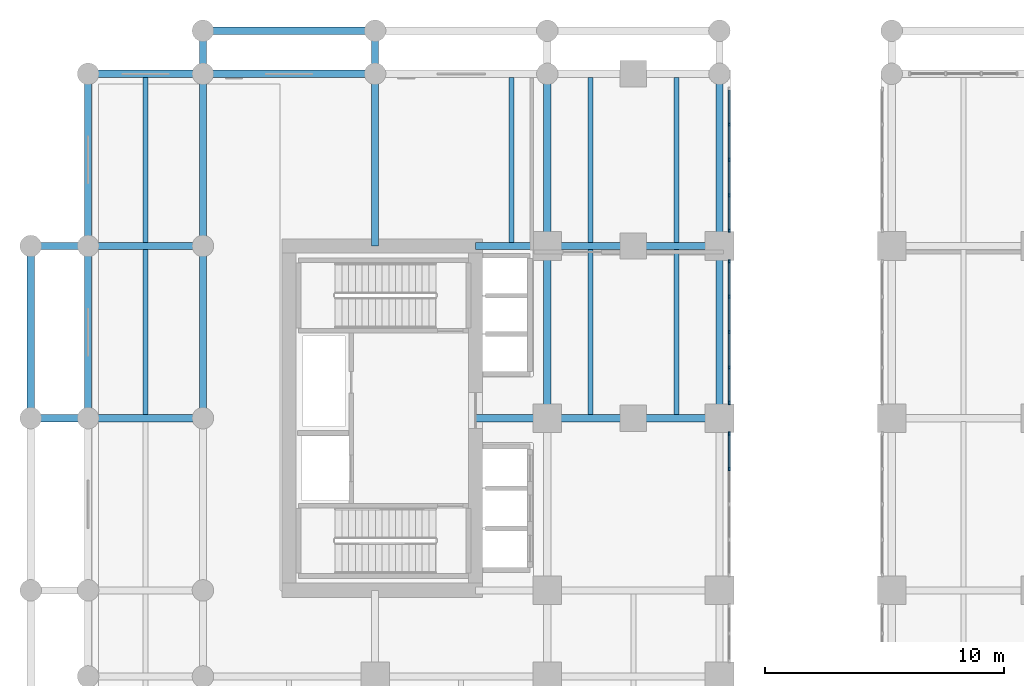
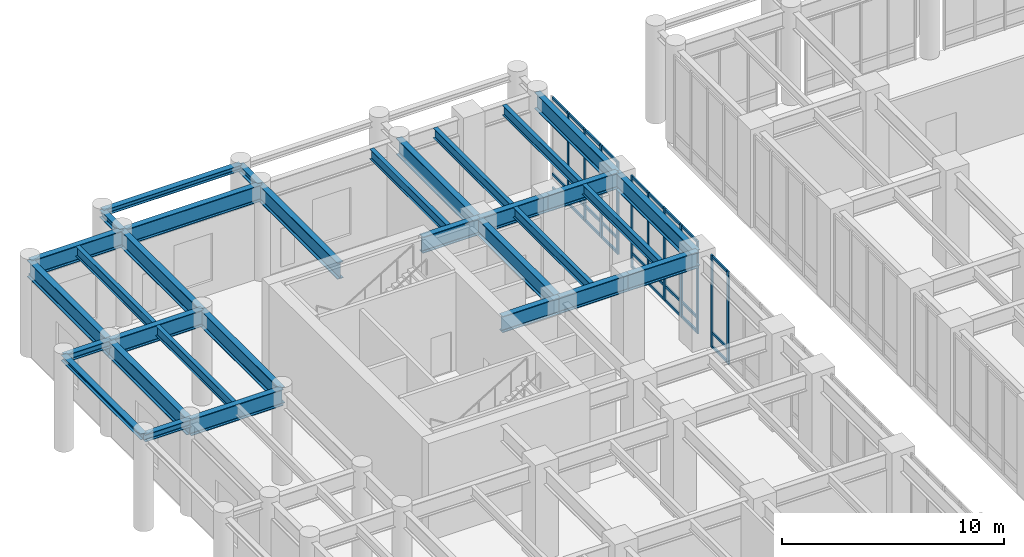
# One storey, part 6 of 23: 38 members, 32 beams, 3 elements without a shape of their own.
"""IFC4 building model written with IfcOpenShell, lengths in metres."""

from ifc_helpers import new_model, si_unit, derived_unit, direction, frame, origin, origin_2d, place, context, subcontext, project, spatial, rectangle, i_section, extrude, source, transform, mapped, material, layer, layer_set, material_profile, profile_set, type_object, type_shapes, element, aggregate, save


model = new_model("IFC4")

# Units and contexts
model_context = context("Model", 3, precision=1e-05, world=origin(), true_north=direction((0.0, 1.0)))
body_context = subcontext(model_context, "Body", "Model", "MODEL_VIEW")
ifc_project = project(units=[si_unit("LENGTHUNIT", "METRE"), si_unit("AREAUNIT", "SQUARE_METRE"), si_unit("VOLUMEUNIT", "CUBIC_METRE"), si_unit("PLANEANGLEUNIT", "RADIAN"), si_unit("MASSUNIT", "GRAM", prefix="KILO"), si_unit("THERMODYNAMICTEMPERATUREUNIT", "KELVIN"), si_unit("POWERUNIT", "WATT"), derived_unit("THERMALTRANSMITTANCEUNIT", [(si_unit("POWERUNIT", "WATT"), 1), (si_unit("AREAUNIT", "SQUARE_METRE"), -1), (si_unit("THERMODYNAMICTEMPERATUREUNIT", "KELVIN"), -1)])], contexts=[model_context])

# Site, building, storey
site_placement = place(None, origin())
site = spatial("IfcSite", under=ifc_project, at=site_placement, CompositionType="ELEMENT")
building_placement = place(site_placement, origin())
building = spatial("IfcBuilding", under=site, at=building_placement, Name="Zahravan Archway Hotel and Residences", CompositionType="ELEMENT")
storey_placement = place(building_placement, frame((0.0, 0.0, 5.39990234375)))
storey = spatial("IfcBuildingStorey", under=building, at=storey_placement, Name="L01", CompositionType="ELEMENT", Elevation=5.39990234375)

# Beams
ifc_material_1 = material(Name="Structural Steel S355J2", Category="steel")
ifc_material_profile_1 = material_profile(ifc_material_1, i_section(OverallWidth=0.300048828125, OverallDepth=0.89990234375, WebThickness=0.0185546875, FlangeThickness=0.034912109375, FilletRadius=0.030029296875, at=origin_2d()), Name="HEB 900", Category="steel")
ifc_profile_set_1 = profile_set([ifc_material_profile_1], Name="Structural Steel S355J2")
beam_type_1 = type_object("IfcBeamType", Name="BM-PRI-HEB900", PredefinedType="BEAM", material=ifc_profile_set_1)
shared_shape_1 = source(origin(), body_context, "Body", "SweptSolid", [
    extrude(i_section(OverallWidth=0.300048828125, OverallDepth=0.89990234375, WebThickness=0.0185546875, FlangeThickness=0.034912109375, FilletRadius=0.030029296875, at=origin_2d()), origin(), (0.0, 0.0, 1.0), 4.800048828125),
])
type_shapes(beam_type_1, [shared_shape_1])
for number, where, z_axis, x_axis, name in (
    (1, (-4.800048828125, 32.39990234375, 4.650146484375), (1.0, 0.0, 0.0), (0.0, 1.0, 0.0), "L01 Primary Girder EW-41"),
    (2, (-4.800048828125, 39.60009765625, 4.650146484375), (1.0, 0.0, 0.0), (0.0, 1.0, 0.0), "L01 Primary Girder EW-46"),
    (3, (-4.800048828125, 46.800048828125, 4.650146484375), (1.0, 0.0, 0.0), (0.0, 1.0, 0.0), "L01 Primary Girder EW-51"),
):
    element("IfcBeam", number, at=place(storey_placement, frame(where, z_axis=z_axis, x_axis=x_axis)), inside=storey, type_object=beam_type_1, Name=name, PredefinedType="BEAM", context=body_context, shape_type="MappedRepresentation", body=[
        mapped(shared_shape_1, transform((0.0, 0.0, 0.0), scale=1.0)),
    ])
shared_shape_2 = source(origin(), body_context, "Body", "SweptSolid", [
    extrude(i_section(OverallWidth=0.300048828125, OverallDepth=0.89990234375, WebThickness=0.0185546875, FlangeThickness=0.034912109375, FilletRadius=0.030029296875, at=origin_2d()), origin(), (0.0, 0.0, 1.0), 7.199951171875),
])
for number, where, z_axis, x_axis, name in (
    (4, (0.0, 46.800048828125, 4.650146484375), (1.0, 0.0, 0.0), (0.0, 1.0, 0.0), "L01 Primary Girder EW-52"),
    (5, (-4.800048828125, 39.60009765625, 4.650146484375), (0.0, 1.0, 0.0), (-1.0, 0.0, 0.0), "L01 Primary Girder NS-68"),
    (6, (0.0, 39.60009765625, 4.650146484375), (0.0, 1.0, 0.0), (-1.0, 0.0, 0.0), "L01 Primary Girder NS-75"),
    (7, (7.199951171875, 39.60009765625, 4.650146484375), (0.0, 1.0, 0.0), (-1.0, 0.0, 0.0), "L01 Primary Girder NS-80"),
    (8, (14.39990234375, 39.60009765625, 4.650146484375), (0.0, 1.0, 0.0), (-1.0, 0.0, 0.0), "L01 Primary Girder NS-87"),
    (9, (21.60009765625, 39.60009765625, 4.650146484375), (0.0, 1.0, 0.0), (-1.0, 0.0, 0.0), "L01 Primary Girder NS-94"),
):
    element("IfcBeam", number, at=place(storey_placement, frame(where, z_axis=z_axis, x_axis=x_axis)), inside=storey, type_object=beam_type_1, Name=name, PredefinedType="BEAM", context=body_context, shape_type="MappedRepresentation", body=[
        mapped(shared_shape_2, transform((0.0, 0.0, 0.0), scale=1.0)),
    ])
shared_shape_3 = source(origin(), body_context, "Body", "SweptSolid", [
    extrude(i_section(OverallWidth=0.300048828125, OverallDepth=0.89990234375, WebThickness=0.0185546875, FlangeThickness=0.034912109375, FilletRadius=0.030029296875, at=origin_2d()), origin(), (0.0, 0.0, 1.0), 7.2001953125),
])
for number, where, z_axis, x_axis, name in (
    (10, (-4.800048828125, 32.39990234375, 4.650146484375), (0.0, 1.0, 0.0), (-1.0, 0.0, 0.0), "L01 Primary Girder NS-67"),
    (11, (0.0, 32.39990234375, 4.650146484375), (0.0, 1.0, 0.0), (-1.0, 0.0, 0.0), "L01 Primary Girder NS-74"),
    (12, (14.39990234375, 32.39990234375, 4.650146484375), (0.0, 1.0, 0.0), (-1.0, 0.0, 0.0), "L01 Primary Girder NS-86"),
    (13, (21.60009765625, 32.39990234375, 4.650146484375), (0.0, 1.0, 0.0), (-1.0, 0.0, 0.0), "L01 Primary Girder NS-93"),
):
    element("IfcBeam", number, at=place(storey_placement, frame(where, z_axis=z_axis, x_axis=x_axis)), inside=storey, type_object=beam_type_1, Name=name, PredefinedType="BEAM", context=body_context, shape_type="MappedRepresentation", body=[
        mapped(shared_shape_3, transform((0.0, 0.0, 0.0), scale=1.0)),
    ])
shared_shape_4 = source(origin(), body_context, "Body", "SweptSolid", [
    extrude(i_section(OverallWidth=0.300048828125, OverallDepth=0.89990234375, WebThickness=0.0185546875, FlangeThickness=0.034912109375, FilletRadius=0.030029296875, at=origin_2d()), origin(), (0.0, 0.0, 1.0), 3.0),
])
for number, where, z_axis, x_axis, name in (
    (14, (11.39990234375, 32.39990234375, 4.650146484375), (1.0, 0.0, 0.0), (0.0, 1.0, 0.0), "L01 Primary Girder EW-42"),
    (15, (11.39990234375, 39.60009765625, 4.650146484375), (1.0, 0.0, 0.0), (0.0, 1.0, 0.0), "L01 Primary Girder EW-47"),
):
    element("IfcBeam", number, at=place(storey_placement, frame(where, z_axis=z_axis, x_axis=x_axis)), inside=storey, type_object=beam_type_1, Name=name, PredefinedType="BEAM", context=body_context, shape_type="MappedRepresentation", body=[
        mapped(shared_shape_4, transform((0.0, 0.0, 0.0), scale=1.0)),
    ])
shared_shape_5 = source(origin(), body_context, "Body", "SweptSolid", [
    extrude(i_section(OverallWidth=0.300048828125, OverallDepth=0.89990234375, WebThickness=0.0185546875, FlangeThickness=0.034912109375, FilletRadius=0.030029296875, at=origin_2d()), origin(), (0.0, 0.0, 1.0), 3.60009765625),
])
for number, where, z_axis, x_axis, name in (
    (16, (14.39990234375, 32.39990234375, 4.650146484375), (1.0, 0.0, 0.0), (0.0, 1.0, 0.0), "L01 Primary Girder EW-43"),
    (17, (18.0, 32.39990234375, 4.650146484375), (1.0, 0.0, 0.0), (0.0, 1.0, 0.0), "L01 Primary Girder EW-44"),
    (18, (14.39990234375, 39.60009765625, 4.650146484375), (1.0, 0.0, 0.0), (0.0, 1.0, 0.0), "L01 Primary Girder EW-48"),
    (19, (18.0, 39.60009765625, 4.650146484375), (1.0, 0.0, 0.0), (0.0, 1.0, 0.0), "L01 Primary Girder EW-49"),
):
    element("IfcBeam", number, at=place(storey_placement, frame(where, z_axis=z_axis, x_axis=x_axis)), inside=storey, type_object=beam_type_1, Name=name, PredefinedType="BEAM", context=body_context, shape_type="MappedRepresentation", body=[
        mapped(shared_shape_5, transform((0.0, 0.0, 0.0), scale=1.0)),
    ])
ifc_material_2 = material(Name="Structural Steel S355JR", Category="steel")
ifc_material_profile_2 = material_profile(ifc_material_2, i_section(OverallWidth=0.2099609375, OverallDepth=0.550048828125, WebThickness=0.010986328125, FlangeThickness=0.01708984375, FilletRadius=0.02392578125, at=origin_2d()), Name="IPE 550", Category="steel")
ifc_profile_set_2 = profile_set([ifc_material_profile_2], Name="Structural Steel S355JR")
beam_type_2 = type_object("IfcBeamType", Name="BM-JST-IPE550", PredefinedType="JOIST", material=ifc_profile_set_2)
shared_shape_6 = source(origin(), body_context, "Body", "SweptSolid", [
    extrude(i_section(OverallWidth=0.2099609375, OverallDepth=0.550048828125, WebThickness=0.010986328125, FlangeThickness=0.01708984375, FilletRadius=0.02392578125, at=origin_2d()), origin(), (0.0, 0.0, 1.0), 6.904052734375),
])
type_shapes(beam_type_2, [shared_shape_6])
for number, where, z_axis, x_axis, name in (
    (20, (-2.39990234375, 39.748046875, 4.8251953125), (0.0, 1.0, 0.0), (-1.0, 0.0, 0.0), "L01 Composite Floor Joist 34"),
    (21, (12.89990234375, 39.748046875, 4.8251953125), (0.0, 1.0, 0.0), (-1.0, 0.0, 0.0), "L01 Composite Floor Joist 35"),
    (22, (16.199951171875, 39.748046875, 4.8251953125), (0.0, 1.0, 0.0), (-1.0, 0.0, 0.0), "L01 Composite Floor Joist 36"),
    (23, (19.800048828125, 39.748046875, 4.8251953125), (0.0, 1.0, 0.0), (-1.0, 0.0, 0.0), "L01 Composite Floor Joist 37"),
):
    element("IfcBeam", number, at=place(storey_placement, frame(where, z_axis=z_axis, x_axis=x_axis)), inside=storey, type_object=beam_type_2, Name=name, PredefinedType="JOIST", context=body_context, shape_type="MappedRepresentation", body=[
        mapped(shared_shape_6, transform((0.0, 0.0, 0.0), scale=1.0)),
    ])
shared_shape_7 = source(origin(), body_context, "Body", "SweptSolid", [
    extrude(i_section(OverallWidth=0.2099609375, OverallDepth=0.550048828125, WebThickness=0.010986328125, FlangeThickness=0.01708984375, FilletRadius=0.02392578125, at=origin_2d()), origin(), (0.0, 0.0, 1.0), 6.90380859375),
])
for number, where, z_axis, x_axis, name in (
    (24, (-2.39990234375, 32.548095703125, 4.8251953125), (0.0, 1.0, 0.0), (-1.0, 0.0, 0.0), "L01 Composite Floor Joist 30"),
    (25, (16.199951171875, 32.548095703125, 4.8251953125), (0.0, 1.0, 0.0), (-1.0, 0.0, 0.0), "L01 Composite Floor Joist 31"),
    (26, (19.800048828125, 32.548095703125, 4.8251953125), (0.0, 1.0, 0.0), (-1.0, 0.0, 0.0), "L01 Composite Floor Joist 32"),
):
    element("IfcBeam", number, at=place(storey_placement, frame(where, z_axis=z_axis, x_axis=x_axis)), inside=storey, type_object=beam_type_2, Name=name, PredefinedType="JOIST", context=body_context, shape_type="MappedRepresentation", body=[
        mapped(shared_shape_7, transform((0.0, 0.0, 0.0), scale=1.0)),
    ])
ifc_material_profile_3 = material_profile(ifc_material_2, i_section(OverallWidth=0.300048828125, OverallDepth=0.39990234375, WebThickness=0.013427734375, FlangeThickness=0.02392578125, FilletRadius=0.027099609375, at=origin_2d()), Name="HEB 400", Category="steel")
ifc_profile_set_3 = profile_set([ifc_material_profile_3], Name="Structural Steel S355JR")
beam_type_3 = type_object("IfcBeamType", Name="BM-PRI-HEB400", PredefinedType="BEAM", material=ifc_profile_set_3)
shared_shape_8 = source(origin(), body_context, "Body", "SweptSolid", [
    extrude(i_section(OverallWidth=0.300048828125, OverallDepth=0.39990234375, WebThickness=0.013427734375, FlangeThickness=0.02392578125, FilletRadius=0.027099609375, at=origin_2d()), origin(), (0.0, 0.0, 1.0), 2.39990234375),
])
for number, where, z_axis, x_axis, name in (
    (27, (-7.199951171875, 32.39990234375, 4.900146484375), (1.0, 0.0, 0.0), (0.0, 1.0, 0.0), "L01 West Colonnade Tie Girder 5"),
    (28, (-7.199951171875, 39.60009765625, 4.900146484375), (1.0, 0.0, 0.0), (0.0, 1.0, 0.0), "L01 West Colonnade Tie Girder 6"),
):
    element("IfcBeam", number, at=place(storey_placement, frame(where, z_axis=z_axis, x_axis=x_axis)), inside=storey, type_object=beam_type_3, Name=name, PredefinedType="BEAM", context=body_context, shape_type="MappedRepresentation", body=[
        mapped(shared_shape_8, transform((0.0, 0.0, 0.0), scale=1.0)),
    ])
ifc_material_profile_4 = material_profile(ifc_material_2, i_section(OverallWidth=0.300048828125, OverallDepth=0.320068359375, WebThickness=0.011474609375, FlangeThickness=0.0205078125, FilletRadius=0.027099609375, at=origin_2d()), Name="HEB 320", Category="steel")
ifc_profile_set_4 = profile_set([ifc_material_profile_4], Name="Structural Steel S355JR")
beam_type_4 = type_object("IfcBeamType", Name="BM-SPN-HEB320", PredefinedType="SPANDREL", material=ifc_profile_set_4)
shared_shape_9 = source(origin(), body_context, "Body", "SweptSolid", [
    extrude(i_section(OverallWidth=0.300048828125, OverallDepth=0.320068359375, WebThickness=0.011474609375, FlangeThickness=0.0205078125, FilletRadius=0.027099609375, at=origin_2d()), origin(), (0.0, 0.0, 1.0), 7.199951171875),
])
type_shapes(beam_type_4, [shared_shape_9])
beam_1_placement = place(storey_placement, frame((0.0, 48.60009765625, 4.940185546875), z_axis=(1.0, 0.0, 0.0), x_axis=(0.0, 1.0, 0.0)))
element("IfcBeam", 29, at=beam_1_placement, inside=storey, type_object=beam_type_4, Name="L01 North Colonnade Spandrel 1", PredefinedType="SPANDREL", context=body_context, shape_type="MappedRepresentation", body=[
    mapped(shared_shape_9, transform((0.0, 0.0, 0.0), scale=1.0)),
])
shared_shape_10 = source(origin(), body_context, "Body", "SweptSolid", [
    extrude(i_section(OverallWidth=0.300048828125, OverallDepth=0.320068359375, WebThickness=0.011474609375, FlangeThickness=0.0205078125, FilletRadius=0.027099609375, at=origin_2d()), origin(), (0.0, 0.0, 1.0), 7.2001953125),
])
beam_2_placement = place(storey_placement, frame((-7.199951171875, 32.39990234375, 4.940185546875), z_axis=(0.0, 1.0, 0.0), x_axis=(-1.0, 0.0, 0.0)))
element("IfcBeam", 30, at=beam_2_placement, inside=storey, type_object=beam_type_4, Name="L01 West Colonnade Spandrel 5", PredefinedType="SPANDREL", context=body_context, shape_type="MappedRepresentation", body=[
    mapped(shared_shape_10, transform((0.0, 0.0, 0.0), scale=1.0)),
])
shared_shape_11 = source(origin(), body_context, "Body", "SweptSolid", [
    extrude(i_section(OverallWidth=0.300048828125, OverallDepth=0.39990234375, WebThickness=0.013427734375, FlangeThickness=0.02392578125, FilletRadius=0.027099609375, at=origin_2d()), origin(), (0.0, 0.0, 1.0), 1.800048828125),
])
for number, where, z_axis, x_axis, name in (
    (31, (0.0, 46.800048828125, 4.900146484375), (0.0, 1.0, 0.0), (-1.0, 0.0, 0.0), "L01 North Colonnade Tie Girder 1"),
    (32, (7.199951171875, 46.800048828125, 4.900146484375), (0.0, 1.0, 0.0), (-1.0, 0.0, 0.0), "L01 North Colonnade Tie Girder 2"),
):
    element("IfcBeam", number, at=place(storey_placement, frame(where, z_axis=z_axis, x_axis=x_axis)), inside=storey, type_object=beam_type_3, Name=name, PredefinedType="BEAM", context=body_context, shape_type="MappedRepresentation", body=[
        mapped(shared_shape_11, transform((0.0, 0.0, 0.0), scale=1.0)),
    ])

# Curtain wall, members
ifc_material_3 = material(Name="Bronze-Anodized Unitised Aluminium & Low-E Glass", Category="aluminium")
ifc_layer = layer(ifc_material_3, 0.179931640625, Name="Bronze-Anodized Unitised Aluminium & Low-E Glass", Category="aluminium")
ifc_layer_set = layer_set([ifc_layer], Name="Bronze-Anodized Unitised Aluminium & Low-E Glass")
curtain_wall_type = type_object("IfcCurtainWallType", Name="CW-POD-ARCH", PredefinedType="NOTDEFINED", material=ifc_layer_set)
curtain_wall_1_placement = place(storey_placement, origin())
curtain_wall_1 = element("IfcCurtainWall", 33, at=curtain_wall_1_placement, inside=storey, type_object=curtain_wall_type, Name="L01 Curtain Wall CW-PORTW-L01-5", PredefinedType="NOTDEFINED")
ifc_material_4 = material(Name="Bronze-Anodized Extruded Aluminium", Category="aluminium")
ifc_material_profile_5 = material_profile(ifc_material_4, rectangle(XDim=0.080078125, YDim=0.159912109375, at=origin_2d()), Name="MUL 80x160", Category="aluminium")
ifc_profile_set_5 = profile_set([ifc_material_profile_5], Name="Bronze-Anodized Extruded Aluminium")
member_type_1 = type_object("IfcMemberType", Name="CWM-MUL-160", PredefinedType="MULLION", material=ifc_profile_set_5)
shared_shape_12 = source(origin(), body_context, "Body", "SweptSolid", [
    extrude(rectangle(XDim=0.080078125, YDim=0.159912109375, at=origin_2d()), origin(), (0.0, 0.0, 1.0), 5.10009765625),
])
member_1_placement = place(storey_placement, frame((22.0, 30.27734375, 0.0), z_axis=(0.0, 0.0, 1.0), x_axis=(1.0, 0.0, 0.0)))
member_1 = element("IfcMember", 34, at=member_1_placement, type_object=member_type_1, Name="CW-PORTW-L01-5 Mullion 3", PredefinedType="MULLION", context=body_context, shape_type="MappedRepresentation", body=[
    mapped(shared_shape_12, transform((0.0, 0.0, 0.0), scale=1.0)),
])
member_2_placement = place(storey_placement, frame((22.0, 31.7548828125, 0.0), z_axis=(0.0, 0.0, 1.0), x_axis=(1.0, 0.0, 0.0)))
member_2 = element("IfcMember", 35, at=member_2_placement, type_object=member_type_1, Name="CW-PORTW-L01-5 Mullion 4", PredefinedType="MULLION", context=body_context, shape_type="MappedRepresentation", body=[
    mapped(shared_shape_12, transform((0.0, 0.0, 0.0), scale=1.0)),
])

curtain_wall_2_placement = place(storey_placement, origin())
curtain_wall_2 = element("IfcCurtainWall", 36, at=curtain_wall_2_placement, inside=storey, type_object=curtain_wall_type, Name="L01 Curtain Wall CW-PORTW-L01-6", PredefinedType="NOTDEFINED")
member_3_placement = place(storey_placement, frame((22.0, 33.045166015625, 0.0), z_axis=(0.0, 0.0, 1.0), x_axis=(1.0, 0.0, 0.0)))
member_3 = element("IfcMember", 37, at=member_3_placement, type_object=member_type_1, Name="CW-PORTW-L01-6 Mullion 0", PredefinedType="MULLION", context=body_context, shape_type="MappedRepresentation", body=[
    mapped(shared_shape_12, transform((0.0, 0.0, 0.0), scale=1.0)),
])
member_4_placement = place(storey_placement, frame((22.0, 34.522705078125, 0.0), z_axis=(0.0, 0.0, 1.0), x_axis=(1.0, 0.0, 0.0)))
member_4 = element("IfcMember", 38, at=member_4_placement, type_object=member_type_1, Name="CW-PORTW-L01-6 Mullion 1", PredefinedType="MULLION", context=body_context, shape_type="MappedRepresentation", body=[
    mapped(shared_shape_12, transform((0.0, 0.0, 0.0), scale=1.0)),
])
member_5_placement = place(storey_placement, frame((22.0, 36.0, 0.0), z_axis=(0.0, 0.0, 1.0), x_axis=(1.0, 0.0, 0.0)))
member_5 = element("IfcMember", 39, at=member_5_placement, type_object=member_type_1, Name="CW-PORTW-L01-6 Mullion 2", PredefinedType="MULLION", context=body_context, shape_type="MappedRepresentation", body=[
    mapped(shared_shape_12, transform((0.0, 0.0, 0.0), scale=1.0)),
])
member_6_placement = place(storey_placement, frame((22.0, 37.477294921875, 0.0), z_axis=(0.0, 0.0, 1.0), x_axis=(1.0, 0.0, 0.0)))
member_6 = element("IfcMember", 40, at=member_6_placement, type_object=member_type_1, Name="CW-PORTW-L01-6 Mullion 3", PredefinedType="MULLION", context=body_context, shape_type="MappedRepresentation", body=[
    mapped(shared_shape_12, transform((0.0, 0.0, 0.0), scale=1.0)),
])
member_7_placement = place(storey_placement, frame((22.0, 38.954833984375, 0.0), z_axis=(0.0, 0.0, 1.0), x_axis=(1.0, 0.0, 0.0)))
member_7 = element("IfcMember", 41, at=member_7_placement, type_object=member_type_1, Name="CW-PORTW-L01-6 Mullion 4", PredefinedType="MULLION", context=body_context, shape_type="MappedRepresentation", body=[
    mapped(shared_shape_12, transform((0.0, 0.0, 0.0), scale=1.0)),
])

curtain_wall_3_placement = place(storey_placement, origin())
curtain_wall_3 = element("IfcCurtainWall", 42, at=curtain_wall_3_placement, inside=storey, type_object=curtain_wall_type, Name="L01 Curtain Wall CW-PORTW-L01-7", PredefinedType="NOTDEFINED")
member_8_placement = place(storey_placement, frame((22.0, 40.2451171875, 0.0), z_axis=(0.0, 0.0, 1.0), x_axis=(1.0, 0.0, 0.0)))
member_8 = element("IfcMember", 43, at=member_8_placement, type_object=member_type_1, Name="CW-PORTW-L01-7 Mullion 0", PredefinedType="MULLION", context=body_context, shape_type="MappedRepresentation", body=[
    mapped(shared_shape_12, transform((0.0, 0.0, 0.0), scale=1.0)),
])
member_9_placement = place(storey_placement, frame((22.0, 41.72265625, 0.0), z_axis=(0.0, 0.0, 1.0), x_axis=(1.0, 0.0, 0.0)))
member_9 = element("IfcMember", 44, at=member_9_placement, type_object=member_type_1, Name="CW-PORTW-L01-7 Mullion 1", PredefinedType="MULLION", context=body_context, shape_type="MappedRepresentation", body=[
    mapped(shared_shape_12, transform((0.0, 0.0, 0.0), scale=1.0)),
])
member_10_placement = place(storey_placement, frame((22.0, 43.199951171875, 0.0), z_axis=(0.0, 0.0, 1.0), x_axis=(1.0, 0.0, 0.0)))
member_10 = element("IfcMember", 45, at=member_10_placement, type_object=member_type_1, Name="CW-PORTW-L01-7 Mullion 2", PredefinedType="MULLION", context=body_context, shape_type="MappedRepresentation", body=[
    mapped(shared_shape_12, transform((0.0, 0.0, 0.0), scale=1.0)),
])
member_11_placement = place(storey_placement, frame((22.0, 44.677490234375, 0.0), z_axis=(0.0, 0.0, 1.0), x_axis=(1.0, 0.0, 0.0)))
member_11 = element("IfcMember", 46, at=member_11_placement, type_object=member_type_1, Name="CW-PORTW-L01-7 Mullion 3", PredefinedType="MULLION", context=body_context, shape_type="MappedRepresentation", body=[
    mapped(shared_shape_12, transform((0.0, 0.0, 0.0), scale=1.0)),
])
ifc_material_profile_6 = material_profile(ifc_material_4, rectangle(XDim=0.080078125, YDim=0.139892578125, at=origin_2d()), Name="TRN 80x140", Category="aluminium")
ifc_profile_set_6 = profile_set([ifc_material_profile_6], Name="Bronze-Anodized Extruded Aluminium")
member_type_2 = type_object("IfcMemberType", Name="CWM-TRN-140", PredefinedType="USERDEFINED", material=ifc_profile_set_6)
shared_shape_13 = source(origin(), body_context, "Body", "SweptSolid", [
    extrude(rectangle(XDim=0.080078125, YDim=0.139892578125, at=origin_2d()), origin(), (0.0, 0.0, 1.0), 1.397216796875),
])
member_12_placement = place(storey_placement, frame((22.0, 41.7626953125, 0.070068359375), z_axis=(0.0, 1.0, 0.0), x_axis=(-1.0, 0.0, 0.0)))
member_12 = element("IfcMember", 47, at=member_12_placement, type_object=member_type_2, Name="CW-PORTW-L01-7 Transom 1-1", ObjectType="TRANSOM", PredefinedType="USERDEFINED", context=body_context, shape_type="MappedRepresentation", body=[
    mapped(shared_shape_13, transform((0.0, 0.0, 0.0), scale=1.0)),
])
member_13_placement = place(storey_placement, frame((22.0, 41.7626953125, 0.85009765625), z_axis=(0.0, 1.0, 0.0), x_axis=(-1.0, 0.0, 0.0)))
member_13 = element("IfcMember", 48, at=member_13_placement, type_object=member_type_2, Name="CW-PORTW-L01-7 Transom 1-2", ObjectType="TRANSOM", PredefinedType="USERDEFINED", context=body_context, shape_type="MappedRepresentation", body=[
    mapped(shared_shape_13, transform((0.0, 0.0, 0.0), scale=1.0)),
])
member_14_placement = place(storey_placement, frame((22.0, 41.7626953125, 5.030029296875), z_axis=(0.0, 1.0, 0.0), x_axis=(-1.0, 0.0, 0.0)))
member_14 = element("IfcMember", 49, at=member_14_placement, type_object=member_type_2, Name="CW-PORTW-L01-7 Transom 1-3", ObjectType="TRANSOM", PredefinedType="USERDEFINED", context=body_context, shape_type="MappedRepresentation", body=[
    mapped(shared_shape_13, transform((0.0, 0.0, 0.0), scale=1.0)),
])

# Member
shared_shape_14 = source(origin(), body_context, "Body", "SweptSolid", [
    extrude(rectangle(XDim=0.080078125, YDim=0.139892578125, at=origin_2d()), origin(), (0.0, 0.0, 1.0), 1.3974609375),
])
member_15_placement = place(storey_placement, frame((22.0, 30.3173828125, 0.070068359375), z_axis=(0.0, 1.0, 0.0), x_axis=(-1.0, 0.0, 0.0)))
member_15 = element("IfcMember", 50, at=member_15_placement, type_object=member_type_2, Name="CW-PORTW-L01-5 Transom 3-1", ObjectType="TRANSOM", PredefinedType="USERDEFINED", context=body_context, shape_type="MappedRepresentation", body=[
    mapped(shared_shape_14, transform((0.0, 0.0, 0.0), scale=1.0)),
])

member_16_placement = place(storey_placement, frame((22.0, 30.3173828125, 0.85009765625), z_axis=(0.0, 1.0, 0.0), x_axis=(-1.0, 0.0, 0.0)))
member_16 = element("IfcMember", 51, at=member_16_placement, type_object=member_type_2, Name="CW-PORTW-L01-5 Transom 3-2", ObjectType="TRANSOM", PredefinedType="USERDEFINED", context=body_context, shape_type="MappedRepresentation", body=[
    mapped(shared_shape_14, transform((0.0, 0.0, 0.0), scale=1.0)),
])

member_17_placement = place(storey_placement, frame((22.0, 30.3173828125, 5.030029296875), z_axis=(0.0, 1.0, 0.0), x_axis=(-1.0, 0.0, 0.0)))
member_17 = element("IfcMember", 52, at=member_17_placement, type_object=member_type_2, Name="CW-PORTW-L01-5 Transom 3-3", ObjectType="TRANSOM", PredefinedType="USERDEFINED", context=body_context, shape_type="MappedRepresentation", body=[
    mapped(shared_shape_14, transform((0.0, 0.0, 0.0), scale=1.0)),
])

aggregate(curtain_wall_1, [member_1, member_2, member_15, member_16, member_17])

member_18_placement = place(storey_placement, frame((22.0, 33.085205078125, 0.070068359375), z_axis=(0.0, 1.0, 0.0), x_axis=(-1.0, 0.0, 0.0)))
member_18 = element("IfcMember", 53, at=member_18_placement, type_object=member_type_2, Name="CW-PORTW-L01-6 Transom 0-1", ObjectType="TRANSOM", PredefinedType="USERDEFINED", context=body_context, shape_type="MappedRepresentation", body=[
    mapped(shared_shape_14, transform((0.0, 0.0, 0.0), scale=1.0)),
])

member_19_placement = place(storey_placement, frame((22.0, 33.085205078125, 0.85009765625), z_axis=(0.0, 1.0, 0.0), x_axis=(-1.0, 0.0, 0.0)))
member_19 = element("IfcMember", 54, at=member_19_placement, type_object=member_type_2, Name="CW-PORTW-L01-6 Transom 0-2", ObjectType="TRANSOM", PredefinedType="USERDEFINED", context=body_context, shape_type="MappedRepresentation", body=[
    mapped(shared_shape_14, transform((0.0, 0.0, 0.0), scale=1.0)),
])

member_20_placement = place(storey_placement, frame((22.0, 33.085205078125, 5.030029296875), z_axis=(0.0, 1.0, 0.0), x_axis=(-1.0, 0.0, 0.0)))
member_20 = element("IfcMember", 55, at=member_20_placement, type_object=member_type_2, Name="CW-PORTW-L01-6 Transom 0-3", ObjectType="TRANSOM", PredefinedType="USERDEFINED", context=body_context, shape_type="MappedRepresentation", body=[
    mapped(shared_shape_14, transform((0.0, 0.0, 0.0), scale=1.0)),
])

member_21_placement = place(storey_placement, frame((22.0, 34.5625, 0.070068359375), z_axis=(0.0, 1.0, 0.0), x_axis=(-1.0, 0.0, 0.0)))
member_21 = element("IfcMember", 56, at=member_21_placement, type_object=member_type_2, Name="CW-PORTW-L01-6 Transom 1-1", ObjectType="TRANSOM", PredefinedType="USERDEFINED", context=body_context, shape_type="MappedRepresentation", body=[
    mapped(shared_shape_14, transform((0.0, 0.0, 0.0), scale=1.0)),
])

member_22_placement = place(storey_placement, frame((22.0, 34.5625, 0.85009765625), z_axis=(0.0, 1.0, 0.0), x_axis=(-1.0, 0.0, 0.0)))
member_22 = element("IfcMember", 57, at=member_22_placement, type_object=member_type_2, Name="CW-PORTW-L01-6 Transom 1-2", ObjectType="TRANSOM", PredefinedType="USERDEFINED", context=body_context, shape_type="MappedRepresentation", body=[
    mapped(shared_shape_14, transform((0.0, 0.0, 0.0), scale=1.0)),
])

member_23_placement = place(storey_placement, frame((22.0, 34.5625, 5.030029296875), z_axis=(0.0, 1.0, 0.0), x_axis=(-1.0, 0.0, 0.0)))
member_23 = element("IfcMember", 58, at=member_23_placement, type_object=member_type_2, Name="CW-PORTW-L01-6 Transom 1-3", ObjectType="TRANSOM", PredefinedType="USERDEFINED", context=body_context, shape_type="MappedRepresentation", body=[
    mapped(shared_shape_14, transform((0.0, 0.0, 0.0), scale=1.0)),
])

member_24_placement = place(storey_placement, frame((22.0, 36.0400390625, 0.070068359375), z_axis=(0.0, 1.0, 0.0), x_axis=(-1.0, 0.0, 0.0)))
member_24 = element("IfcMember", 59, at=member_24_placement, type_object=member_type_2, Name="CW-PORTW-L01-6 Transom 2-1", ObjectType="TRANSOM", PredefinedType="USERDEFINED", context=body_context, shape_type="MappedRepresentation", body=[
    mapped(shared_shape_14, transform((0.0, 0.0, 0.0), scale=1.0)),
])

member_25_placement = place(storey_placement, frame((22.0, 36.0400390625, 0.85009765625), z_axis=(0.0, 1.0, 0.0), x_axis=(-1.0, 0.0, 0.0)))
member_25 = element("IfcMember", 60, at=member_25_placement, type_object=member_type_2, Name="CW-PORTW-L01-6 Transom 2-2", ObjectType="TRANSOM", PredefinedType="USERDEFINED", context=body_context, shape_type="MappedRepresentation", body=[
    mapped(shared_shape_14, transform((0.0, 0.0, 0.0), scale=1.0)),
])

member_26_placement = place(storey_placement, frame((22.0, 36.0400390625, 5.030029296875), z_axis=(0.0, 1.0, 0.0), x_axis=(-1.0, 0.0, 0.0)))
member_26 = element("IfcMember", 61, at=member_26_placement, type_object=member_type_2, Name="CW-PORTW-L01-6 Transom 2-3", ObjectType="TRANSOM", PredefinedType="USERDEFINED", context=body_context, shape_type="MappedRepresentation", body=[
    mapped(shared_shape_14, transform((0.0, 0.0, 0.0), scale=1.0)),
])

member_27_placement = place(storey_placement, frame((22.0, 37.517333984375, 0.070068359375), z_axis=(0.0, 1.0, 0.0), x_axis=(-1.0, 0.0, 0.0)))
member_27 = element("IfcMember", 62, at=member_27_placement, type_object=member_type_2, Name="CW-PORTW-L01-6 Transom 3-1", ObjectType="TRANSOM", PredefinedType="USERDEFINED", context=body_context, shape_type="MappedRepresentation", body=[
    mapped(shared_shape_14, transform((0.0, 0.0, 0.0), scale=1.0)),
])

member_28_placement = place(storey_placement, frame((22.0, 37.517333984375, 0.85009765625), z_axis=(0.0, 1.0, 0.0), x_axis=(-1.0, 0.0, 0.0)))
member_28 = element("IfcMember", 63, at=member_28_placement, type_object=member_type_2, Name="CW-PORTW-L01-6 Transom 3-2", ObjectType="TRANSOM", PredefinedType="USERDEFINED", context=body_context, shape_type="MappedRepresentation", body=[
    mapped(shared_shape_14, transform((0.0, 0.0, 0.0), scale=1.0)),
])

member_29_placement = place(storey_placement, frame((22.0, 37.517333984375, 5.030029296875), z_axis=(0.0, 1.0, 0.0), x_axis=(-1.0, 0.0, 0.0)))
member_29 = element("IfcMember", 64, at=member_29_placement, type_object=member_type_2, Name="CW-PORTW-L01-6 Transom 3-3", ObjectType="TRANSOM", PredefinedType="USERDEFINED", context=body_context, shape_type="MappedRepresentation", body=[
    mapped(shared_shape_14, transform((0.0, 0.0, 0.0), scale=1.0)),
])

aggregate(curtain_wall_2, [member_3, member_4, member_5, member_6, member_7, member_18, member_19, member_20, member_21, member_22, member_23, member_24, member_25, member_26, member_27, member_28, member_29])

member_30_placement = place(storey_placement, frame((22.0, 40.28515625, 0.070068359375), z_axis=(0.0, 1.0, 0.0), x_axis=(-1.0, 0.0, 0.0)))
member_30 = element("IfcMember", 65, at=member_30_placement, type_object=member_type_2, Name="CW-PORTW-L01-7 Transom 0-1", ObjectType="TRANSOM", PredefinedType="USERDEFINED", context=body_context, shape_type="MappedRepresentation", body=[
    mapped(shared_shape_14, transform((0.0, 0.0, 0.0), scale=1.0)),
])

member_31_placement = place(storey_placement, frame((22.0, 40.28515625, 0.85009765625), z_axis=(0.0, 1.0, 0.0), x_axis=(-1.0, 0.0, 0.0)))
member_31 = element("IfcMember", 66, at=member_31_placement, type_object=member_type_2, Name="CW-PORTW-L01-7 Transom 0-2", ObjectType="TRANSOM", PredefinedType="USERDEFINED", context=body_context, shape_type="MappedRepresentation", body=[
    mapped(shared_shape_14, transform((0.0, 0.0, 0.0), scale=1.0)),
])

member_32_placement = place(storey_placement, frame((22.0, 40.28515625, 5.030029296875), z_axis=(0.0, 1.0, 0.0), x_axis=(-1.0, 0.0, 0.0)))
member_32 = element("IfcMember", 67, at=member_32_placement, type_object=member_type_2, Name="CW-PORTW-L01-7 Transom 0-3", ObjectType="TRANSOM", PredefinedType="USERDEFINED", context=body_context, shape_type="MappedRepresentation", body=[
    mapped(shared_shape_14, transform((0.0, 0.0, 0.0), scale=1.0)),
])

member_33_placement = place(storey_placement, frame((22.0, 43.239990234375, 0.070068359375), z_axis=(0.0, 1.0, 0.0), x_axis=(-1.0, 0.0, 0.0)))
member_33 = element("IfcMember", 68, at=member_33_placement, type_object=member_type_2, Name="CW-PORTW-L01-7 Transom 2-1", ObjectType="TRANSOM", PredefinedType="USERDEFINED", context=body_context, shape_type="MappedRepresentation", body=[
    mapped(shared_shape_14, transform((0.0, 0.0, 0.0), scale=1.0)),
])

member_34_placement = place(storey_placement, frame((22.0, 43.239990234375, 0.85009765625), z_axis=(0.0, 1.0, 0.0), x_axis=(-1.0, 0.0, 0.0)))
member_34 = element("IfcMember", 69, at=member_34_placement, type_object=member_type_2, Name="CW-PORTW-L01-7 Transom 2-2", ObjectType="TRANSOM", PredefinedType="USERDEFINED", context=body_context, shape_type="MappedRepresentation", body=[
    mapped(shared_shape_14, transform((0.0, 0.0, 0.0), scale=1.0)),
])

member_35_placement = place(storey_placement, frame((22.0, 43.239990234375, 5.030029296875), z_axis=(0.0, 1.0, 0.0), x_axis=(-1.0, 0.0, 0.0)))
member_35 = element("IfcMember", 70, at=member_35_placement, type_object=member_type_2, Name="CW-PORTW-L01-7 Transom 2-3", ObjectType="TRANSOM", PredefinedType="USERDEFINED", context=body_context, shape_type="MappedRepresentation", body=[
    mapped(shared_shape_14, transform((0.0, 0.0, 0.0), scale=1.0)),
])

member_36_placement = place(storey_placement, frame((22.0, 44.71728515625, 0.070068359375), z_axis=(0.0, 1.0, 0.0), x_axis=(-1.0, 0.0, 0.0)))
member_36 = element("IfcMember", 71, at=member_36_placement, type_object=member_type_2, Name="CW-PORTW-L01-7 Transom 3-1", ObjectType="TRANSOM", PredefinedType="USERDEFINED", context=body_context, shape_type="MappedRepresentation", body=[
    mapped(shared_shape_14, transform((0.0, 0.0, 0.0), scale=1.0)),
])

member_37_placement = place(storey_placement, frame((22.0, 44.71728515625, 0.85009765625), z_axis=(0.0, 1.0, 0.0), x_axis=(-1.0, 0.0, 0.0)))
member_37 = element("IfcMember", 72, at=member_37_placement, type_object=member_type_2, Name="CW-PORTW-L01-7 Transom 3-2", ObjectType="TRANSOM", PredefinedType="USERDEFINED", context=body_context, shape_type="MappedRepresentation", body=[
    mapped(shared_shape_14, transform((0.0, 0.0, 0.0), scale=1.0)),
])

member_38_placement = place(storey_placement, frame((22.0, 44.71728515625, 5.030029296875), z_axis=(0.0, 1.0, 0.0), x_axis=(-1.0, 0.0, 0.0)))
member_38 = element("IfcMember", 73, at=member_38_placement, type_object=member_type_2, Name="CW-PORTW-L01-7 Transom 3-3", ObjectType="TRANSOM", PredefinedType="USERDEFINED", context=body_context, shape_type="MappedRepresentation", body=[
    mapped(shared_shape_14, transform((0.0, 0.0, 0.0), scale=1.0)),
])

aggregate(curtain_wall_3, [member_8, member_9, member_10, member_11, member_30, member_31, member_32, member_12, member_13, member_14, member_33, member_34, member_35, member_36, member_37, member_38])

save(model, "model.ifc")
